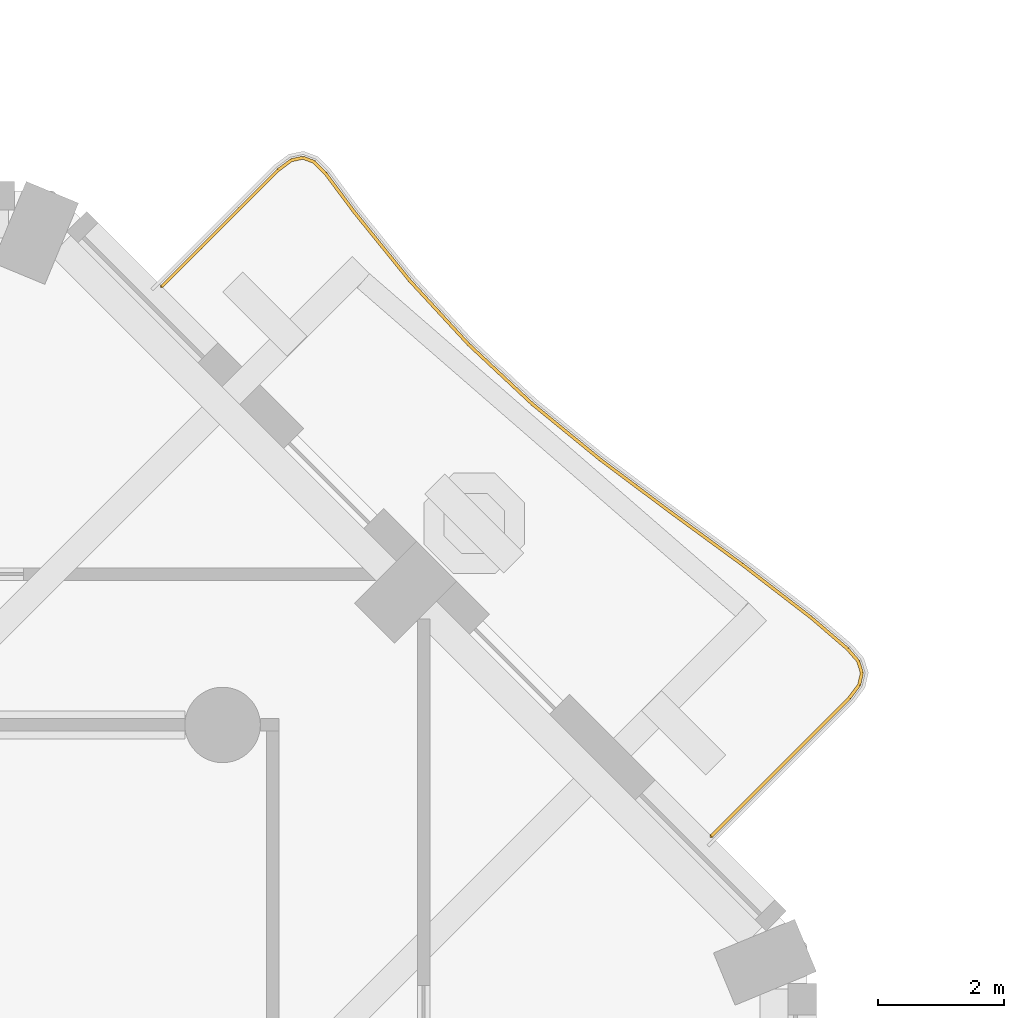
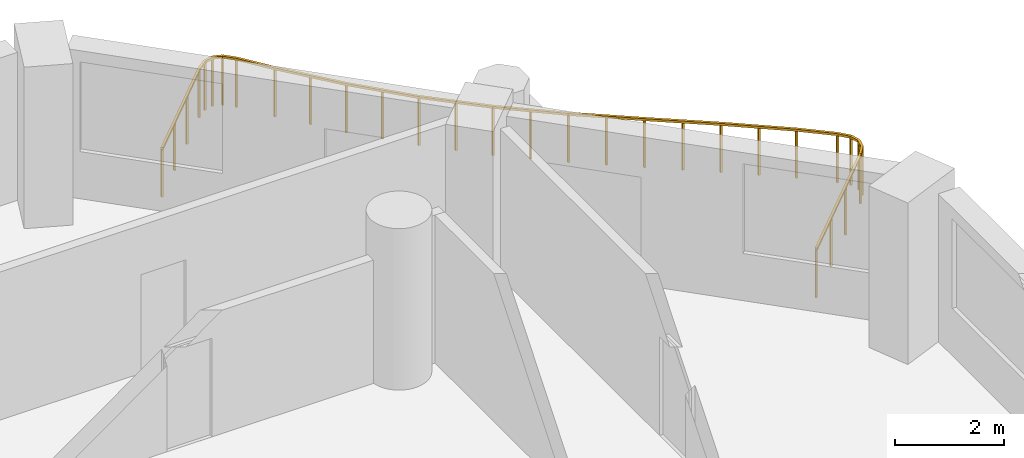
# One storey, part 18 of 19: 1 railing.
"""IFC4 building model written with IfcOpenShell, lengths in metres."""

from ifc_helpers import new_model, si_unit, direction, frame, origin, origin_2d, place, context, subcontext, project, spatial, rectangle, extrude, material, type_object, element, save


model = new_model("IFC4")

# Units and contexts
model_context = context("Model", 3, precision=1e-05, world=origin(), true_north=direction((0.0, 1.0)))
body_context = subcontext(model_context, "Body", "Model", "MODEL_VIEW")
ifc_project = project(units=[si_unit("LENGTHUNIT", "METRE"), si_unit("AREAUNIT", "SQUARE_METRE"), si_unit("VOLUMEUNIT", "CUBIC_METRE"), si_unit("PLANEANGLEUNIT", "RADIAN"), si_unit("MASSUNIT", "GRAM", prefix="KILO")], contexts=[model_context])

# Site, building, storey
site_placement = place(None, origin())
site = spatial("IfcSite", under=ifc_project, at=site_placement, CompositionType="ELEMENT")
building_placement = place(site_placement, origin())
building = spatial("IfcBuilding", under=site, at=building_placement, Name="Cypress Arch Tower", CompositionType="ELEMENT")
storey_placement = place(building_placement, frame((0.0, 0.0, 98.699951171875)))
storey = spatial("IfcBuildingStorey", under=building, at=storey_placement, Name="L19", CompositionType="ELEMENT", Elevation=98.699951171875)

# Railing
ifc_material = material(Name="Powder-coated steel posts and rods, 100 mm clear between rods", Category="steel")
railing_type = type_object("IfcRailingType", Name="Balcony guard GR1100", PredefinedType="GUARDRAIL", material=ifc_material)
railing_placement = place(storey_placement, frame((14.33251953125, 24.479736328125, 0.0)))
element("IfcRailing", 1, at=railing_placement, inside=storey, type_object=railing_type, Name="Balcony guard L19-A07", PredefinedType="GUARDRAIL", context=body_context, shape_type="SweptSolid", body=[
    extrude(rectangle(XDim=0.050048828125, YDim=0.050048828125, at=origin_2d()), frame((0.0, 0.0, 1.0751953125), z_axis=(0.707106781187, 0.707106781187, 0.0), x_axis=(-0.707106781187, 0.707106781187, 0.0)), (0.0, 0.0, 1.0), 2.622314453125),
    extrude(rectangle(XDim=0.050048828125, YDim=0.050048828125, at=origin_2d()), frame((1.854248046875, 1.854248046875, 1.0751953125), z_axis=(0.800566750152, 0.599243588661, 0.0), x_axis=(-0.599243588661, 0.800566750152, 0.0)), (0.0, 0.0, 1.0), 0.25830078125),
    extrude(rectangle(XDim=0.050048828125, YDim=0.050048828125, at=origin_2d()), frame((2.06103515625, 2.009033203125, 1.0751953125), z_axis=(0.978384916796, 0.20679205639, 0.0), x_axis=(-0.20679205639, 0.978384916796, 0.0)), (0.0, 0.0, 1.0), 0.18896484375),
    extrude(rectangle(XDim=0.050048828125, YDim=0.050048828125, at=origin_2d()), frame((2.245849609375, 2.048095703125, 1.0751953125), z_axis=(0.93770201156, -0.347440552493, 0.0), x_axis=(0.347440552493, 0.93770201156, 0.0)), (0.0, 0.0, 1.0), 0.18896484375),
    extrude(rectangle(XDim=0.050048828125, YDim=0.050048828125, at=origin_2d()), frame((2.423095703125, 1.982421875, 1.0751953125), z_axis=(0.705686416985, -0.708524298019, 0.0), x_axis=(0.708524298019, 0.705686416985, 0.0)), (0.0, 0.0, 1.0), 0.258056640625),
    extrude(rectangle(XDim=0.050048828125, YDim=0.050048828125, at=origin_2d()), frame((2.605224609375, 1.799560546875, 1.0751953125), z_axis=(0.596891774481, -0.802321761862, 0.0), x_axis=(0.802321761862, 0.596891774481, 0.0)), (0.0, 0.0, 1.0), 0.767822265625),
    extrude(rectangle(XDim=0.050048828125, YDim=0.050048828125, at=origin_2d()), frame((3.0634765625, 1.18359375, 1.0751953125), z_axis=(0.628866140053, -0.777513586952, 0.0), x_axis=(0.777513586952, 0.628866140053, 0.0)), (0.0, 0.0, 1.0), 1.39599609375),
    extrude(rectangle(XDim=0.050048828125, YDim=0.050048828125, at=origin_2d()), frame((3.94140625, 0.09814453125, 1.0751953125), z_axis=(0.677900713851, -0.735153468441, 0.0), x_axis=(0.735153468441, 0.677900713851, 0.0)), (0.0, 0.0, 1.0), 1.39013671875),
    extrude(rectangle(XDim=0.050048828125, YDim=0.050048828125, at=origin_2d()), frame((4.8837890625, -0.923828125, 1.0751953125), z_axis=(0.730593613489, -0.682812545235, 0.0), x_axis=(0.682812545235, 0.730593613489, 0.0)), (0.0, 0.0, 1.0), 1.389892578125),
    extrude(rectangle(XDim=0.050048828125, YDim=0.050048828125, at=origin_2d()), frame((5.899169921875, -1.872802734375, 1.0751953125), z_axis=(0.774323522922, -0.632789919207, 0.0), x_axis=(0.632789919207, 0.774323522922, 0.0)), (0.0, 0.0, 1.0), 1.3955078125),
    extrude(rectangle(XDim=0.050048828125, YDim=0.050048828125, at=origin_2d()), frame((6.979736328125, -2.755859375, 1.0751953125), z_axis=(0.800752035649, -0.598995974447, 0.0), x_axis=(0.598995974447, 0.800752035649, 0.0)), (0.0, 0.0, 1.0), 1.4013671875),
    extrude(rectangle(XDim=0.050048828125, YDim=0.050048828125, at=origin_2d()), frame((8.101806640625, -3.59521484375, 1.0751953125), z_axis=(0.807008058799, -0.590540424555, 0.0), x_axis=(0.590540424555, 0.807008058799, 0.0)), (0.0, 0.0, 1.0), 1.40185546875),
    extrude(rectangle(XDim=0.050048828125, YDim=0.050048828125, at=origin_2d()), frame((9.233154296875, -4.423095703125, 1.0751953125), z_axis=(0.792226980075, -0.610226525187, 0.0), x_axis=(0.610226525187, 0.792226980075, 0.0)), (0.0, 0.0, 1.0), 1.39501953125),
    extrude(rectangle(XDim=0.050048828125, YDim=0.050048828125, at=origin_2d()), frame((10.33837890625, -5.2744140625, 1.0751953125), z_axis=(0.758166121588, -0.652061448083, 0.0), x_axis=(0.652061448083, 0.758166121588, 0.0)), (0.0, 0.0, 1.0), 0.75927734375),
    extrude(rectangle(XDim=0.050048828125, YDim=0.050048828125, at=origin_2d()), frame((10.9140625, -5.76953125, 1.0751953125), z_axis=(0.656970638513, -0.753916162535, 0.0), x_axis=(0.753916162535, 0.656970638513, 0.0)), (0.0, 0.0, 1.0), 0.25927734375),
    extrude(rectangle(XDim=0.050048828125, YDim=0.050048828125, at=origin_2d()), frame((11.08447265625, -5.965087890625, 1.0751953125), z_axis=(0.296360048573, -0.955076290989, 0.0), x_axis=(0.955076290989, 0.296360048573, 0.0)), (0.0, 0.0, 1.0), 0.196044921875),
    extrude(rectangle(XDim=0.050048828125, YDim=0.050048828125, at=origin_2d()), frame((11.142578125, -6.15234375, 1.0751953125), z_axis=(-0.224041299099, -0.974579651079, 0.0), x_axis=(0.974579651079, -0.224041299099, 0.0)), (0.0, 0.0, 1.0), 0.196044921875),
    extrude(rectangle(XDim=0.050048828125, YDim=0.050048828125, at=origin_2d()), frame((11.0986328125, -6.343505859375, 1.0751953125), z_axis=(-0.598643719088, -0.801015416579, 0.0), x_axis=(0.801015416579, -0.598643719088, 0.0)), (0.0, 0.0, 1.0), 0.25927734375),
    extrude(rectangle(XDim=0.050048828125, YDim=0.050048828125, at=origin_2d()), frame((10.943359375, -6.55126953125, 1.0751953125), z_axis=(-0.707106781187, -0.707106781187, 0.0), x_axis=(0.707106781187, -0.707106781187, 0.0)), (0.0, 0.0, 1.0), 3.105712890625),
    extrude(rectangle(XDim=0.0400390625, YDim=0.0400390625, at=origin_2d()), origin(), (0.0, 0.0, 1.0), 1.050048828125),
    extrude(rectangle(XDim=0.0400390625, YDim=0.0400390625, at=origin_2d()), frame((0.6181640625, 0.6181640625, 0.0)), (0.0, 0.0, 1.0), 1.050048828125),
    extrude(rectangle(XDim=0.0400390625, YDim=0.0400390625, at=origin_2d()), frame((1.236083984375, 1.236083984375, 0.0)), (0.0, 0.0, 1.0), 1.050048828125),
    extrude(rectangle(XDim=0.0400390625, YDim=0.0400390625, at=origin_2d()), frame((1.854248046875, 1.854248046875, 0.0)), (0.0, 0.0, 1.0), 1.050048828125),
    extrude(rectangle(XDim=0.0400390625, YDim=0.0400390625, at=origin_2d()), frame((2.06103515625, 2.009033203125, 0.0)), (0.0, 0.0, 1.0), 1.050048828125),
    extrude(rectangle(XDim=0.0400390625, YDim=0.0400390625, at=origin_2d()), frame((2.245849609375, 2.048095703125, 0.0)), (0.0, 0.0, 1.0), 1.050048828125),
    extrude(rectangle(XDim=0.0400390625, YDim=0.0400390625, at=origin_2d()), frame((2.423095703125, 1.982421875, 0.0)), (0.0, 0.0, 1.0), 1.050048828125),
    extrude(rectangle(XDim=0.0400390625, YDim=0.0400390625, at=origin_2d()), frame((2.605224609375, 1.799560546875, 0.0)), (0.0, 0.0, 1.0), 1.050048828125),
    extrude(rectangle(XDim=0.0400390625, YDim=0.0400390625, at=origin_2d()), frame((3.0634765625, 1.18359375, 0.0)), (0.0, 0.0, 1.0), 1.050048828125),
    extrude(rectangle(XDim=0.0400390625, YDim=0.0400390625, at=origin_2d()), frame((3.50244140625, 0.640869140625, 0.0)), (0.0, 0.0, 1.0), 1.050048828125),
    extrude(rectangle(XDim=0.0400390625, YDim=0.0400390625, at=origin_2d()), frame((3.94140625, 0.09814453125, 0.0)), (0.0, 0.0, 1.0), 1.050048828125),
    extrude(rectangle(XDim=0.0400390625, YDim=0.0400390625, at=origin_2d()), frame((4.41259765625, -0.412841796875, 0.0)), (0.0, 0.0, 1.0), 1.050048828125),
    extrude(rectangle(XDim=0.0400390625, YDim=0.0400390625, at=origin_2d()), frame((4.8837890625, -0.923828125, 0.0)), (0.0, 0.0, 1.0), 1.050048828125),
    extrude(rectangle(XDim=0.0400390625, YDim=0.0400390625, at=origin_2d()), frame((5.3916015625, -1.3984375, 0.0)), (0.0, 0.0, 1.0), 1.050048828125),
    extrude(rectangle(XDim=0.0400390625, YDim=0.0400390625, at=origin_2d()), frame((5.899169921875, -1.872802734375, 0.0)), (0.0, 0.0, 1.0), 1.050048828125),
    extrude(rectangle(XDim=0.0400390625, YDim=0.0400390625, at=origin_2d()), frame((6.439453125, -2.314453125, 0.0)), (0.0, 0.0, 1.0), 1.050048828125),
    extrude(rectangle(XDim=0.0400390625, YDim=0.0400390625, at=origin_2d()), frame((6.979736328125, -2.755859375, 0.0)), (0.0, 0.0, 1.0), 1.050048828125),
    extrude(rectangle(XDim=0.0400390625, YDim=0.0400390625, at=origin_2d()), frame((7.540771484375, -3.175537109375, 0.0)), (0.0, 0.0, 1.0), 1.050048828125),
    extrude(rectangle(XDim=0.0400390625, YDim=0.0400390625, at=origin_2d()), frame((8.101806640625, -3.59521484375, 0.0)), (0.0, 0.0, 1.0), 1.050048828125),
    extrude(rectangle(XDim=0.0400390625, YDim=0.0400390625, at=origin_2d()), frame((8.66748046875, -4.00927734375, 0.0)), (0.0, 0.0, 1.0), 1.050048828125),
    extrude(rectangle(XDim=0.0400390625, YDim=0.0400390625, at=origin_2d()), frame((9.233154296875, -4.423095703125, 0.0)), (0.0, 0.0, 1.0), 1.050048828125),
    extrude(rectangle(XDim=0.0400390625, YDim=0.0400390625, at=origin_2d()), frame((9.78564453125, -4.8486328125, 0.0)), (0.0, 0.0, 1.0), 1.050048828125),
    extrude(rectangle(XDim=0.0400390625, YDim=0.0400390625, at=origin_2d()), frame((10.33837890625, -5.2744140625, 0.0)), (0.0, 0.0, 1.0), 1.050048828125),
    extrude(rectangle(XDim=0.0400390625, YDim=0.0400390625, at=origin_2d()), frame((10.9140625, -5.76953125, 0.0)), (0.0, 0.0, 1.0), 1.050048828125),
    extrude(rectangle(XDim=0.0400390625, YDim=0.0400390625, at=origin_2d()), frame((11.08447265625, -5.965087890625, 0.0)), (0.0, 0.0, 1.0), 1.050048828125),
    extrude(rectangle(XDim=0.0400390625, YDim=0.0400390625, at=origin_2d()), frame((11.142578125, -6.15234375, 0.0)), (0.0, 0.0, 1.0), 1.050048828125),
    extrude(rectangle(XDim=0.0400390625, YDim=0.0400390625, at=origin_2d()), frame((11.0986328125, -6.343505859375, 0.0)), (0.0, 0.0, 1.0), 1.050048828125),
    extrude(rectangle(XDim=0.0400390625, YDim=0.0400390625, at=origin_2d()), frame((10.943359375, -6.55126953125, 0.0)), (0.0, 0.0, 1.0), 1.050048828125),
    extrude(rectangle(XDim=0.0400390625, YDim=0.0400390625, at=origin_2d()), frame((10.21142578125, -7.283203125, 0.0)), (0.0, 0.0, 1.0), 1.050048828125),
    extrude(rectangle(XDim=0.0400390625, YDim=0.0400390625, at=origin_2d()), frame((9.479248046875, -8.015380859375, 0.0)), (0.0, 0.0, 1.0), 1.050048828125),
    extrude(rectangle(XDim=0.0400390625, YDim=0.0400390625, at=origin_2d()), frame((8.747314453125, -8.747314453125, 0.0)), (0.0, 0.0, 1.0), 1.050048828125),
])

save(model, "model.ifc")
